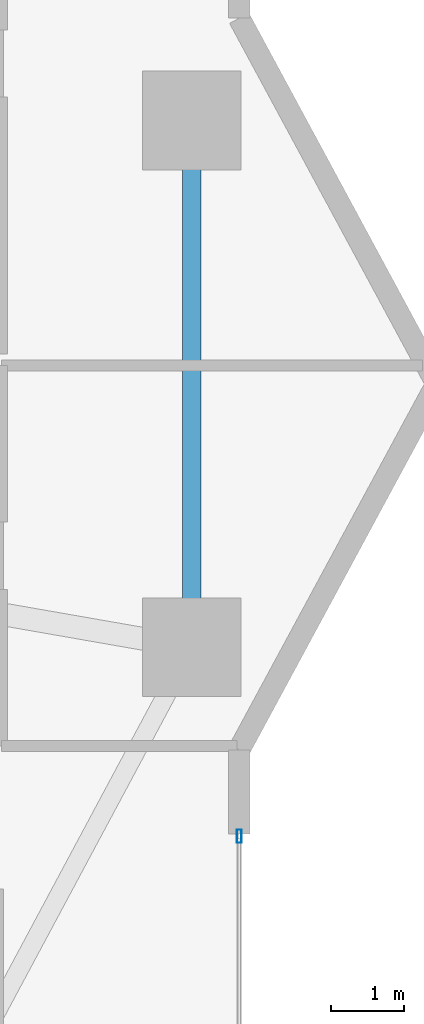
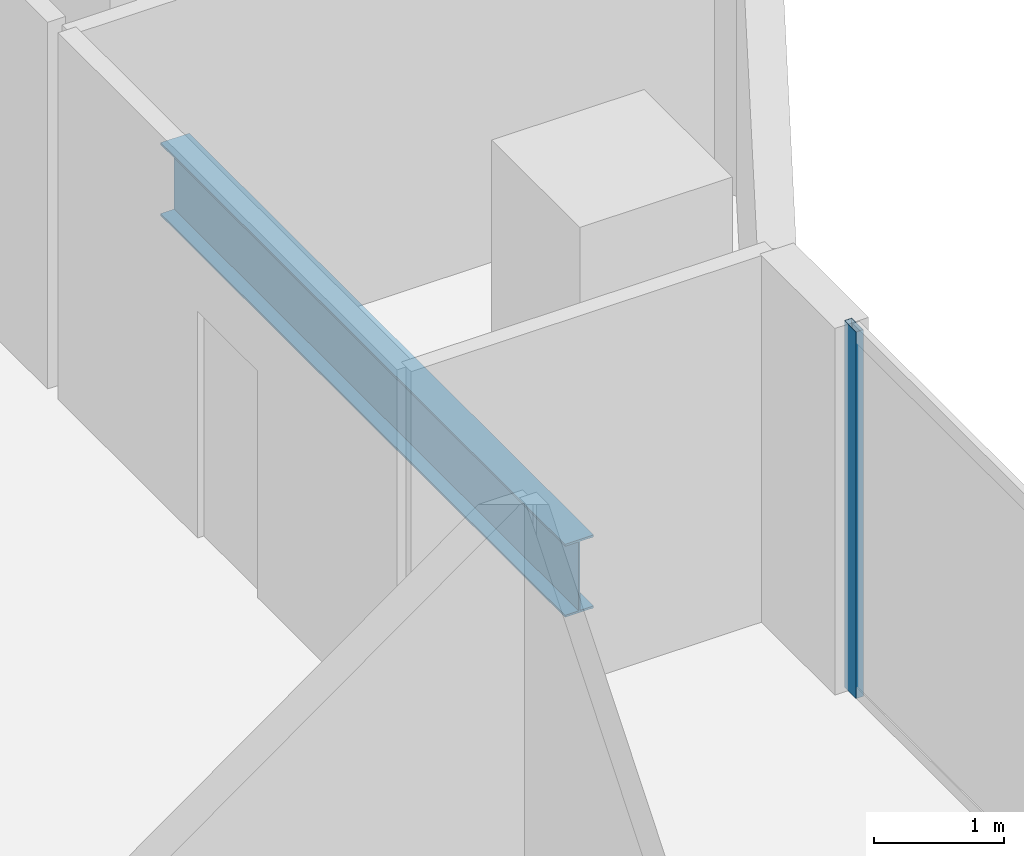
# One storey, part 13 of 28: 1 beam, 1 member, 1 element without a shape of its own.
"""IFC4 building model written with IfcOpenShell, lengths in metres."""

from ifc_helpers import new_model, si_unit, direction, frame, origin, origin_2d, place, context, subcontext, project, spatial, hollow_rectangle, i_section, extrude, material, layer, layer_set, material_profile, profile_set, type_object, element, aggregate, save


model = new_model("IFC4")

# Units and contexts
model_context = context("Model", 3, precision=1e-05, world=origin(), true_north=direction((0.0, 1.0)))
body_context = subcontext(model_context, "Body", "Model", "MODEL_VIEW")
ifc_project = project(units=[si_unit("LENGTHUNIT", "METRE"), si_unit("AREAUNIT", "SQUARE_METRE"), si_unit("VOLUMEUNIT", "CUBIC_METRE"), si_unit("PLANEANGLEUNIT", "RADIAN"), si_unit("MASSUNIT", "GRAM", prefix="KILO")], contexts=[model_context])

# Site, building, storey
site_placement = place(None, origin())
site = spatial("IfcSite", under=ifc_project, at=site_placement, CompositionType="ELEMENT")
building_placement = place(site_placement, origin())
building = spatial("IfcBuilding", under=site, at=building_placement, Name="Zuhayl Quay Hotel", CompositionType="ELEMENT")
storey_placement = place(building_placement, frame((0.0, 0.0, 146.75)))
storey = spatial("IfcBuildingStorey", under=building, at=storey_placement, Name="L37", CompositionType="ELEMENT", Elevation=146.75)

# Beam
ifc_material_1 = material(Name="Steel ASTM A992 Grade 50", Category="steel")
ifc_material_profile_1 = material_profile(ifc_material_1, i_section(OverallWidth=0.25390625, OverallDepth=0.68310546875, WebThickness=0.012451171875, FlangeThickness=0.018798828125, at=origin_2d()), Name="W27X94")
ifc_profile_set_1 = profile_set([ifc_material_profile_1], Name="Steel ASTM A992 Grade 50")
beam_type = type_object("IfcBeamType", Name="BM_B2_W27X94", PredefinedType="BEAM", material=ifc_profile_set_1)
beam_placement = place(storey_placement, frame((23.25, 3.39990234375, -0.5615234375), z_axis=(0.0, 1.0, 0.0), x_axis=(-1.0, 0.0, 0.0)))
element("IfcBeam", 1, at=beam_placement, inside=storey, type_object=beam_type, Name="L37 Floor Beam RG_L37_05", PredefinedType="BEAM", context=body_context, shape_type="SweptSolid", body=[
    extrude(i_section(OverallWidth=0.25390625, OverallDepth=0.68310546875, WebThickness=0.012451171875, FlangeThickness=0.018798828125, at=origin_2d()), origin(), (0.0, 0.0, 1.0), 6.2001953125),
])

# Curtain wall, member
ifc_material_2 = material(Name="Anodised Aluminium 6063-T6", Category="aluminium")
ifc_layer = layer(ifc_material_2, 0.179931640625, Name="Anodised Aluminium 6063-T6", Category="aluminium")
ifc_layer_set = layer_set([ifc_layer], Name="Anodised Aluminium 6063-T6")
curtain_wall_type = type_object("IfcCurtainWallType", Name="CW_SYS_Z2", PredefinedType="USERDEFINED", material=ifc_layer_set)
curtain_wall_placement = place(storey_placement, origin())
curtain_wall = element("IfcCurtainWall", 2, at=curtain_wall_placement, inside=storey, type_object=curtain_wall_type, Name="L37 Curtain Wall ENV_L37_E14_CW1", ObjectType="UNITISED CURTAIN WALL", PredefinedType="USERDEFINED")
ifc_material_3 = material(Name="Black-anodised aluminium 6063-T6", Category="aluminium")
ifc_material_profile_2 = material_profile(ifc_material_3, hollow_rectangle(XDim=0.06494140625, YDim=0.179931640625, WallThickness=0.00341796875, at=origin_2d()), Name="ALU180X65")
ifc_profile_set_2 = profile_set([ifc_material_profile_2], Name="Black-anodised aluminium 6063-T6")
member_type = type_object("IfcMemberType", Name="MB_CW_MUL_180", PredefinedType="MULLION", material=ifc_profile_set_2)
member_placement = place(storey_placement, frame((23.89990234375, 0.3173828125, 0.0), z_axis=(0.0, 0.0, 1.0), x_axis=(1.0, 0.0, 0.0)))
member = element("IfcMember", 3, at=member_placement, type_object=member_type, Name="CW-Z2 mullion 1", PredefinedType="MULLION", context=body_context, shape_type="SweptSolid", body=[
    extrude(hollow_rectangle(XDim=0.06494140625, YDim=0.179931640625, WallThickness=0.00341796875, at=origin_2d()), origin(), (0.0, 0.0, 1.0), 3.429931640625),
])
aggregate(curtain_wall, [member])

save(model, "model.ifc")
